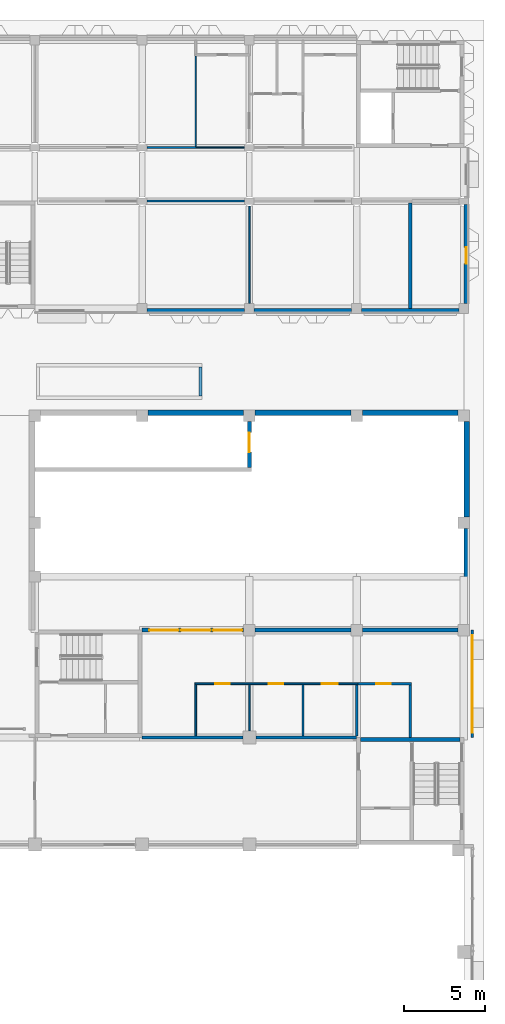
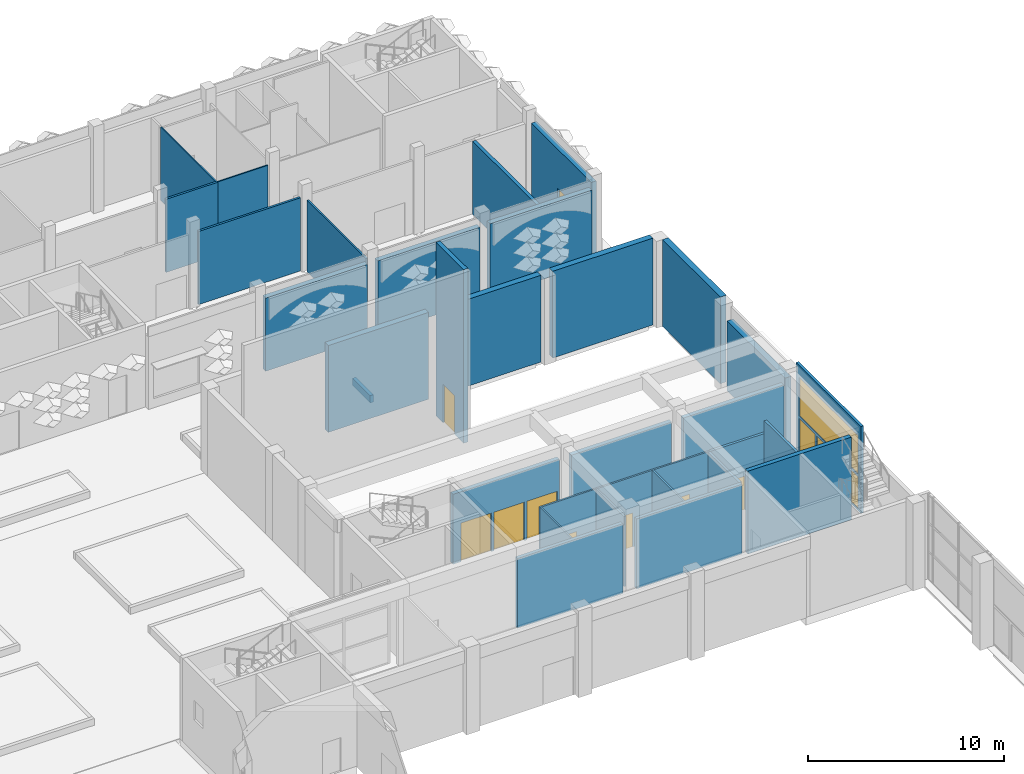
# One storey, part 40 of 85: 31 walls, 10 doors, 3 windows, 13 openings.
"""IFC4 building model written with IfcOpenShell, lengths in metres."""

from ifc_helpers import new_model, si_unit, direction, frame, frame_2d, origin, place, context, subcontext, project, spatial, rectangle, extrude, material, layer, layer_set, type_object, element, fill, save


model = new_model("IFC4")

# Units and contexts
model_context = context("Model", 3, precision=1e-05, world=origin(), true_north=direction((0.0, 1.0)))
body_context = subcontext(model_context, "Body", "Model", "MODEL_VIEW")
ifc_project = project(units=[si_unit("LENGTHUNIT", "METRE"), si_unit("AREAUNIT", "SQUARE_METRE"), si_unit("VOLUMEUNIT", "CUBIC_METRE"), si_unit("PLANEANGLEUNIT", "RADIAN"), si_unit("MASSUNIT", "GRAM", prefix="KILO")], contexts=[model_context])

# Site, building, storey
site_placement = place(None, origin())
site = spatial("IfcSite", under=ifc_project, at=site_placement, CompositionType="ELEMENT")
building_placement = place(site_placement, origin())
building = spatial("IfcBuilding", under=site, at=building_placement, Name="Lantern Court Research Institute", CompositionType="ELEMENT")
storey_placement = place(building_placement, origin())
storey = spatial("IfcBuildingStorey", under=building, at=storey_placement, Name="L00", CompositionType="ELEMENT", Elevation=0.0)

# Wall, openings, doors
ifc_material_1 = material(Name="Acoustic double-leaf gypsum board")
ifc_layer_1 = layer(ifc_material_1, 0.25)
ifc_layer_set_1 = layer_set([ifc_layer_1], Name="Acoustic double-leaf gypsum board")
wall_type_1 = type_object("IfcWallType", Name="Acoustic wall 250 mm EI 60", PredefinedType="PARTITIONING", material=ifc_layer_set_1)
wall_1_placement = place(storey_placement, frame((65.64990234375, 62.699951171875, 0.0), z_axis=(0.0, 0.0, 1.0), x_axis=(-1.0, 0.0, 0.0)))
wall_1 = element("IfcWall", 1, at=wall_1_placement, inside=storey, type_object=wall_type_1, Name="Wall V1-L00-005", PredefinedType="PARTITIONING", context=body_context, shape_type="SweptSolid", body=[
    extrude(rectangle(XDim=6.25, YDim=0.25, at=frame_2d((3.125, 0.0))), origin(), (0.0, 0.0, 1.0), 4.35009765625),
])
opening_1_placement = place(wall_1_placement, frame((4.0, 0.0, 0.0)))
opening_1 = element("IfcOpeningElement", 2, at=opening_1_placement, cuts=wall_1, Name="Opening D1005", PredefinedType="OPENING", context=body_context, shape_type="SweptSolid", body=[
    extrude(rectangle(XDim=1.800048828125, YDim=2.39990234375, at=frame_2d((0.89990234375, 1.199951171875))), frame((0.0, 0.135009765625, 0.0), z_axis=(0.0, -1.0, 0.0), x_axis=(1.0, 0.0, 0.0)), (0.0, 0.0, 1.0), 0.27001953125),
])
opening_2_placement = place(wall_1_placement, frame((2.050048828125, 0.0, 0.0)))
opening_2 = element("IfcOpeningElement", 3, at=opening_2_placement, cuts=wall_1, Name="Opening D1006", PredefinedType="OPENING", context=body_context, shape_type="SweptSolid", body=[
    extrude(rectangle(XDim=1.800048828125, YDim=2.39990234375, at=frame_2d((0.89990234375, 1.199951171875))), frame((0.0, 0.135009765625, 0.0), z_axis=(0.0, -1.0, 0.0), x_axis=(1.0, 0.0, 0.0)), (0.0, 0.0, 1.0), 0.27001953125),
])
opening_3_placement = place(wall_1_placement, frame((0.10009765625, 0.0, 0.0)))
opening_3 = element("IfcOpeningElement", 4, at=opening_3_placement, cuts=wall_1, Name="Opening D1007", PredefinedType="OPENING", context=body_context, shape_type="SweptSolid", body=[
    extrude(rectangle(XDim=1.800048828125, YDim=2.39990234375, at=frame_2d((0.89990234375, 1.199951171875))), frame((0.0, 0.135009765625, 0.0), z_axis=(0.0, -1.0, 0.0), x_axis=(1.0, 0.0, 0.0)), (0.0, 0.0, 1.0), 0.27001953125),
])
ifc_material_2 = material(Name="Timber veneered acoustic door leaf", Category="wood")
door_type_1 = type_object("IfcDoorType", Name="Door 1800 x 2400 auditorium pair FD30S", OperationType="DOUBLE_DOOR_SINGLE_SWING", PredefinedType="DOOR", material=ifc_material_2)
door_1_placement = place(opening_1_placement, origin())
door_1 = element("IfcDoor", 5, at=door_1_placement, inside=storey, type_object=door_type_1, Name="Door D1005", OperationType="DOUBLE_DOOR_SINGLE_SWING", OverallHeight=2.39990234375, OverallWidth=1.800048828125, PredefinedType="DOOR", context=body_context, shape_type="SweptSolid", body=[
    extrude(rectangle(XDim=1.800048828125, YDim=2.39990234375, at=frame_2d((0.89990234375, 1.199951171875))), frame((0.0, 0.02490234375, 0.0), z_axis=(0.0, -1.0, 0.0), x_axis=(1.0, 0.0, 0.0)), (0.0, 0.0, 1.0), 0.050048828125),
])
fill(opening_1, door_1)
door_2_placement = place(opening_2_placement, origin())
door_2 = element("IfcDoor", 6, at=door_2_placement, inside=storey, type_object=door_type_1, Name="Door D1006", OperationType="DOUBLE_DOOR_SINGLE_SWING", OverallHeight=2.39990234375, OverallWidth=1.800048828125, PredefinedType="DOOR", context=body_context, shape_type="SweptSolid", body=[
    extrude(rectangle(XDim=1.800048828125, YDim=2.39990234375, at=frame_2d((0.89990234375, 1.199951171875))), frame((0.0, 0.02490234375, 0.0), z_axis=(0.0, -1.0, 0.0), x_axis=(1.0, 0.0, 0.0)), (0.0, 0.0, 1.0), 0.050048828125),
])
fill(opening_2, door_2)
door_3_placement = place(opening_3_placement, origin())
door_3 = element("IfcDoor", 7, at=door_3_placement, inside=storey, type_object=door_type_1, Name="Door D1007", OperationType="DOUBLE_DOOR_SINGLE_SWING", OverallHeight=2.39990234375, OverallWidth=1.800048828125, PredefinedType="DOOR", context=body_context, shape_type="SweptSolid", body=[
    extrude(rectangle(XDim=1.800048828125, YDim=2.39990234375, at=frame_2d((0.89990234375, 1.199951171875))), frame((0.0, 0.02490234375, 0.0), z_axis=(0.0, -1.0, 0.0), x_axis=(1.0, 0.0, 0.0)), (0.0, 0.0, 1.0), 0.050048828125),
])
fill(opening_3, door_3)

# Walls
wall_2_placement = place(storey_placement, frame((66.35009765625, 62.699951171875, 0.0), z_axis=(0.0, 0.0, 1.0), x_axis=(1.0, 0.0, 0.0)))
element("IfcWall", 8, at=wall_2_placement, inside=storey, type_object=wall_type_1, Name="Wall V1-L00-006", PredefinedType="PARTITIONING", context=body_context, shape_type="SweptSolid", body=[
    extrude(rectangle(XDim=5.89990234375, YDim=0.25, at=frame_2d((2.949951171875, 0.0))), origin(), (0.0, 0.0, 1.0), 4.35009765625),
])
wall_3_placement = place(storey_placement, frame((72.949951171875, 62.699951171875, 0.0), z_axis=(0.0, 0.0, 1.0), x_axis=(1.0, 0.0, 0.0)))
element("IfcWall", 9, at=wall_3_placement, inside=storey, type_object=wall_type_1, Name="Wall V1-L00-007", PredefinedType="PARTITIONING", context=body_context, shape_type="SweptSolid", body=[
    extrude(rectangle(XDim=5.900146484375, YDim=0.25, at=frame_2d((2.9501953125, 0.0))), origin(), (0.0, 0.0, 1.0), 4.35009765625),
])

# Wall, opening, door
wall_4_placement = place(storey_placement, frame((66.0, 75.550048828125, -0.89990234375), z_axis=(0.0, 0.0, 1.0), x_axis=(0.0, -1.0, 0.0)))
wall_4 = element("IfcWall", 10, at=wall_4_placement, inside=storey, type_object=wall_type_1, Name="Wall V1-L00-011", PredefinedType="PARTITIONING", context=body_context, shape_type="SweptSolid", body=[
    extrude(rectangle(XDim=2.824951171875, YDim=0.25, at=frame_2d((1.41259765625, 0.0))), origin(), (0.0, 0.0, 1.0), 10.7998046875),
])
opening_4_placement = place(wall_4_placement, frame((0.699951171875, 0.0, 0.0)))
opening_4 = element("IfcOpeningElement", 11, at=opening_4_placement, cuts=wall_4, Name="Opening D1008", PredefinedType="OPENING", context=body_context, shape_type="SweptSolid", body=[
    extrude(rectangle(XDim=1.199951171875, YDim=2.39990234375, at=frame_2d((0.60009765625, 1.199951171875))), frame((0.0, 0.135009765625, 0.0), z_axis=(0.0, -1.0, 0.0), x_axis=(1.0, 0.0, 0.0)), (0.0, 0.0, 1.0), 0.27001953125),
])
ifc_material_3 = material(Name="Timber veneered acoustic door leaf", Category="wood")
door_type_2 = type_object("IfcDoorType", Name="Door 1200 x 2400 stage FD30S", OperationType="NOTDEFINED", PredefinedType="DOOR", material=ifc_material_3)
door_4_placement = place(opening_4_placement, origin())
door_4 = element("IfcDoor", 12, at=door_4_placement, inside=storey, type_object=door_type_2, Name="Door D1008", OperationType="SINGLE_SWING_RIGHT", OverallHeight=2.39990234375, OverallWidth=1.199951171875, PredefinedType="DOOR", context=body_context, shape_type="SweptSolid", body=[
    extrude(rectangle(XDim=1.199951171875, YDim=2.39990234375, at=frame_2d((0.60009765625, 1.199951171875))), frame((0.0, 0.02490234375, 0.0), z_axis=(0.0, -1.0, 0.0), x_axis=(1.0, 0.0, 0.0)), (0.0, 0.0, 1.0), 0.050048828125),
])
fill(opening_4, door_4)

ifc_material_4 = material(Name="Concrete C30/37", Category="concrete")
ifc_layer_2 = layer(ifc_material_4, 0.300048828125)
ifc_layer_set_2 = layer_set([ifc_layer_2], Name="Concrete C30/37")
wall_type_2 = type_object("IfcWallType", Name="Compartment wall 300 concrete EI 120", PredefinedType="STANDARD", material=ifc_layer_set_2)
wall_5_placement = place(storey_placement, frame((79.35009765625, 88.89990234375, 0.0), z_axis=(0.0, 0.0, 1.0), x_axis=(0.0, -1.0, 0.0)))
wall_5 = element("IfcWall", 13, at=wall_5_placement, inside=storey, type_object=wall_type_2, Name="Exterior wall EW049", PredefinedType="STANDARD", context=body_context, shape_type="SweptSolid", body=[
    extrude(rectangle(XDim=6.099853515625, YDim=0.300048828125, at=frame_2d((3.0498046875, 0.0))), origin(), (0.0, 0.0, 1.0), 4.550048828125),
])
opening_5_placement = place(wall_5_placement, frame((2.64990234375, 0.0, 0.0)))
opening_5 = element("IfcOpeningElement", 14, at=opening_5_placement, cuts=wall_5, Name="Opening D6025", PredefinedType="OPENING", context=body_context, shape_type="SweptSolid", body=[
    extrude(rectangle(XDim=1.0, YDim=2.10009765625, at=frame_2d((0.5, 1.050048828125))), frame((0.0, 0.159912109375, 0.0), z_axis=(0.0, -1.0, 0.0), x_axis=(1.0, 0.0, 0.0)), (0.0, 0.0, 1.0), 0.320068359375),
])
ifc_material_5 = material(Name="Fire-rated coated metal door leaf with smoke seals")
door_type_3 = type_object("IfcDoorType", Name="Door 1000 x 2100 fire command FD60S", OperationType="NOTDEFINED", PredefinedType="DOOR", material=ifc_material_5)
door_5_placement = place(opening_5_placement, origin())
door_5 = element("IfcDoor", 15, at=door_5_placement, inside=storey, type_object=door_type_3, Name="Door D6025", OperationType="SINGLE_SWING_LEFT", OverallHeight=2.10009765625, OverallWidth=1.0, PredefinedType="DOOR", context=body_context, shape_type="SweptSolid", body=[
    extrude(rectangle(XDim=1.0, YDim=2.10009765625, at=frame_2d((0.5, 1.050048828125))), frame((0.0, 0.02490234375, 0.0), z_axis=(0.0, -1.0, 0.0), x_axis=(1.0, 0.0, 0.0)), (0.0, 0.0, 1.0), 0.050048828125),
])
fill(opening_5, door_5)

# Wall
wall_6_placement = place(storey_placement, frame((78.89990234375, 82.35009765625, 0.0), z_axis=(0.0, 0.0, 1.0), x_axis=(-1.0, 0.0, 0.0)))
element("IfcWall", 16, at=wall_6_placement, inside=storey, type_object=wall_type_2, Name="Exterior wall EW070", PredefinedType="STANDARD", context=body_context, shape_type="SweptSolid", body=[
    extrude(rectangle(XDim=6.0, YDim=0.300048828125, at=frame_2d((3.0, 0.0))), origin(), (0.0, 0.0, 1.0), 4.550048828125),
])

# Wall, openings, windows, door
ifc_material_6 = material(Name="Aluminium alloy 6063-T6", Category="aluminium")
ifc_layer_3 = layer(ifc_material_6, 0.14990234375)
ifc_layer_set_3 = layer_set([ifc_layer_3], Name="Aluminium alloy 6063-T6")
wall_type_3 = type_object("IfcWallType", Name="Entrance screen wall 150 aluminium", PredefinedType="STANDARD", material=ifc_layer_set_3)
wall_7_placement = place(storey_placement, frame((79.72509765625, 62.699951171875, 0.0), z_axis=(0.0, 0.0, 1.0), x_axis=(0.0, -1.0, 0.0)))
wall_7 = element("IfcWall", 17, at=wall_7_placement, inside=storey, type_object=wall_type_3, Name="Exterior wall EW001", PredefinedType="STANDARD", context=body_context, shape_type="SweptSolid", body=[
    extrude(rectangle(XDim=6.599853515625, YDim=0.14990234375, at=frame_2d((3.2998046875, 0.0))), origin(), (0.0, 0.0, 1.0), 5.39990234375),
])
opening_6_placement = place(wall_7_placement, frame((2.10009765625, 0.0, 0.0)))
opening_6 = element("IfcOpeningElement", 18, at=opening_6_placement, cuts=wall_7, Name="Opening D1081", PredefinedType="OPENING", context=body_context, shape_type="SweptSolid", body=[
    extrude(rectangle(XDim=2.39990234375, YDim=2.10009765625, at=frame_2d((1.199951171875, 1.050048828125))), frame((0.0, 0.0849609375, 0.0), z_axis=(0.0, -1.0, 0.0), x_axis=(1.0, 0.0, 0.0)), (0.0, 0.0, 1.0), 0.169921875),
])
opening_7_placement = place(wall_7_placement, frame((4.699951171875, 0.0, 0.10009765625)))
opening_7 = element("IfcOpeningElement", 19, at=opening_7_placement, cuts=wall_7, Name="Opening W01", PredefinedType="OPENING", context=body_context, shape_type="SweptSolid", body=[
    extrude(rectangle(XDim=1.60009765625, YDim=2.0, at=frame_2d((0.800048828125, 1.0))), frame((0.0, 0.0849609375, 0.0), z_axis=(0.0, -1.0, 0.0), x_axis=(1.0, 0.0, 0.0)), (0.0, 0.0, 1.0), 0.169921875),
])
opening_8_placement = place(wall_7_placement, frame((0.300048828125, 0.0, 0.10009765625)))
opening_8 = element("IfcOpeningElement", 20, at=opening_8_placement, cuts=wall_7, Name="Opening W01", PredefinedType="OPENING", context=body_context, shape_type="SweptSolid", body=[
    extrude(rectangle(XDim=1.60009765625, YDim=2.0, at=frame_2d((0.800048828125, 1.0))), frame((0.0, 0.0849609375, 0.0), z_axis=(0.0, -1.0, 0.0), x_axis=(1.0, 0.0, 0.0)), (0.0, 0.0, 1.0), 0.169921875),
])
opening_9_placement = place(wall_7_placement, frame((0.300048828125, 0.0, 2.25)))
opening_9 = element("IfcOpeningElement", 21, at=opening_9_placement, cuts=wall_7, Name="Opening W02", PredefinedType="OPENING", context=body_context, shape_type="SweptSolid", body=[
    extrude(rectangle(XDim=6.0, YDim=2.39990234375, at=frame_2d((3.0, 1.199951171875))), frame((0.0, 0.0849609375, 0.0), z_axis=(0.0, -1.0, 0.0), x_axis=(1.0, 0.0, 0.0)), (0.0, 0.0, 1.0), 0.169921875),
])
ifc_material_7 = material(Name="Aluminium frame with laminated low-emissivity glazing", Category="aluminium")
window_type_1 = type_object("IfcWindowType", Name="Entrance clerestory 6000 x 2400", PartitioningType="SINGLE_PANEL", PredefinedType="WINDOW", material=ifc_material_7)
window_1_placement = place(opening_9_placement, origin())
window_1 = element("IfcWindow", 22, at=window_1_placement, inside=storey, type_object=window_type_1, Name="Window W02 V1E L00", OverallHeight=2.39990234375, OverallWidth=6.0, PartitioningType="SINGLE_PANEL", PredefinedType="WINDOW", context=body_context, shape_type="SweptSolid", body=[
    extrude(rectangle(XDim=6.0, YDim=2.39990234375, at=frame_2d((3.0, 1.199951171875))), frame((0.0, 0.030029296875, 0.0), z_axis=(0.0, -1.0, 0.0), x_axis=(1.0, 0.0, 0.0)), (0.0, 0.0, 1.0), 0.06005859375),
])
fill(opening_9, window_1)
ifc_material_8 = material(Name="Aluminium frame with laminated glass", Category="aluminium")
door_type_4 = type_object("IfcDoorType", Name="Entrance door pair 2400 x 2100 aluminium glazed", OperationType="NOTDEFINED", PredefinedType="DOOR", material=ifc_material_8)
door_6_placement = place(opening_6_placement, origin())
door_6 = element("IfcDoor", 23, at=door_6_placement, inside=storey, type_object=door_type_4, Name="Exterior door D1081", OperationType="DOUBLE_DOOR_SINGLE_SWING", OverallHeight=2.10009765625, OverallWidth=2.39990234375, PredefinedType="DOOR", context=body_context, shape_type="SweptSolid", body=[
    extrude(rectangle(XDim=2.39990234375, YDim=2.10009765625, at=frame_2d((1.199951171875, 1.050048828125))), frame((0.0, 0.02490234375, 0.0), z_axis=(0.0, -1.0, 0.0), x_axis=(1.0, 0.0, 0.0)), (0.0, 0.0, 1.0), 0.050048828125),
])
fill(opening_6, door_6)
ifc_material_9 = material(Name="Aluminium frame with laminated low-emissivity glazing", Category="aluminium")
window_type_2 = type_object("IfcWindowType", Name="Entrance sidelight 1600 x 2000", PartitioningType="SINGLE_PANEL", PredefinedType="WINDOW", material=ifc_material_9)
window_2_placement = place(opening_7_placement, origin())
window_2 = element("IfcWindow", 24, at=window_2_placement, inside=storey, type_object=window_type_2, Name="Window W01 V1E L00", OverallHeight=2.0, OverallWidth=1.60009765625, PartitioningType="SINGLE_PANEL", PredefinedType="WINDOW", context=body_context, shape_type="SweptSolid", body=[
    extrude(rectangle(XDim=1.60009765625, YDim=2.0, at=frame_2d((0.800048828125, 1.0))), frame((0.0, 0.030029296875, 0.0), z_axis=(0.0, -1.0, 0.0), x_axis=(1.0, 0.0, 0.0)), (0.0, 0.0, 1.0), 0.06005859375),
])
fill(opening_7, window_2)
window_3_placement = place(opening_8_placement, origin())
window_3 = element("IfcWindow", 25, at=window_3_placement, inside=storey, type_object=window_type_2, Name="Window W01 V1E L00", OverallHeight=2.0, OverallWidth=1.60009765625, PartitioningType="SINGLE_PANEL", PredefinedType="WINDOW", context=body_context, shape_type="SweptSolid", body=[
    extrude(rectangle(XDim=1.60009765625, YDim=2.0, at=frame_2d((0.800048828125, 1.0))), frame((0.0, 0.030029296875, 0.0), z_axis=(0.0, -1.0, 0.0), x_axis=(1.0, 0.0, 0.0)), (0.0, 0.0, 1.0), 0.06005859375),
])
fill(opening_8, window_3)

# Wall, opening, door
ifc_material_10 = material(Name="Gypsum board on metal studs")
ifc_layer_4 = layer(ifc_material_10, 0.14990234375)
ifc_layer_set_4 = layer_set([ifc_layer_4], Name="Gypsum board on metal studs")
wall_type_4 = type_object("IfcWallType", Name="Fire partition 150 mm EI 60", PredefinedType="PARTITIONING", material=ifc_layer_set_4)
wall_8_placement = place(storey_placement, frame((75.97509765625, 59.39990234375, 0.0), z_axis=(0.0, 0.0, 1.0), x_axis=(-1.0, 0.0, 0.0)))
wall_8 = element("IfcWall", 26, at=wall_8_placement, inside=storey, type_object=wall_type_4, Name="Wall V1-L00-004", PredefinedType="PARTITIONING", context=body_context, shape_type="SweptSolid", body=[
    extrude(rectangle(XDim=3.300048828125, YDim=0.14990234375, at=frame_2d((1.64990234375, 0.0))), origin(), (0.0, 0.0, 1.0), 4.35009765625),
])
opening_10_placement = place(wall_8_placement, frame((1.27490234375, 0.0, 0.0)))
opening_10 = element("IfcOpeningElement", 27, at=opening_10_placement, cuts=wall_8, Name="Opening D1004", PredefinedType="OPENING", context=body_context, shape_type="SweptSolid", body=[
    extrude(rectangle(XDim=0.89990234375, YDim=2.10009765625, at=frame_2d((0.449951171875, 1.050048828125))), frame((0.0, 0.0849609375, 0.0), z_axis=(0.0, -1.0, 0.0), x_axis=(1.0, 0.0, 0.0)), (0.0, 0.0, 1.0), 0.169921875),
])
ifc_material_11 = material(Name="Coated metal door leaf")
door_type_5 = type_object("IfcDoorType", Name="Door 900 x 2100 store FD60", OperationType="NOTDEFINED", PredefinedType="DOOR", material=ifc_material_11)
door_7_placement = place(opening_10_placement, origin())
door_7 = element("IfcDoor", 28, at=door_7_placement, inside=storey, type_object=door_type_5, Name="Door D1004", OperationType="SINGLE_SWING_RIGHT", OverallHeight=2.10009765625, OverallWidth=0.89990234375, PredefinedType="DOOR", context=body_context, shape_type="SweptSolid", body=[
    extrude(rectangle(XDim=0.89990234375, YDim=2.10009765625, at=frame_2d((0.449951171875, 1.050048828125))), frame((0.0, 0.02490234375, 0.0), z_axis=(0.0, -1.0, 0.0), x_axis=(1.0, 0.0, 0.0)), (0.0, 0.0, 1.0), 0.050048828125),
])
fill(opening_10, door_7)

# Walls
wall_9_placement = place(storey_placement, frame((72.60009765625, 56.199951171875, 0.0), z_axis=(0.0, 0.0, 1.0), x_axis=(0.0, 1.0, 0.0)))
element("IfcWall", 29, at=wall_9_placement, inside=storey, type_object=wall_type_4, Name="Wall V1-L00-013", PredefinedType="PARTITIONING", context=body_context, shape_type="SweptSolid", body=[
    extrude(rectangle(XDim=3.125, YDim=0.14990234375, at=frame_2d((1.5625, 0.0))), origin(), (0.0, 0.0, 1.0), 4.35009765625),
])
wall_10_placement = place(storey_placement, frame((75.89990234375, 56.10009765625, 0.0), z_axis=(0.0, 0.0, 1.0), x_axis=(0.0, 1.0, 0.0)))
element("IfcWall", 30, at=wall_10_placement, inside=storey, type_object=wall_type_4, Name="Wall V1-L00-014", PredefinedType="PARTITIONING", context=body_context, shape_type="SweptSolid", body=[
    extrude(rectangle(XDim=3.224853515625, YDim=0.14990234375, at=frame_2d((1.6123046875, 0.0))), origin(), (0.0, 0.0, 1.0), 5.14990234375),
])
ifc_material_12 = material(Name="Concrete C30/37", Category="concrete")
ifc_layer_5 = layer(ifc_material_12, 0.300048828125)
ifc_layer_set_5 = layer_set([ifc_layer_5], Name="Concrete C30/37")
wall_type_5 = type_object("IfcWallType", Name="Insulated concrete infill wall 300", PredefinedType="STANDARD", material=ifc_layer_set_5)
for number, where, z_axis, x_axis, name in (
    (31, (65.699951171875, 82.35009765625, 0.0), (0.0, 0.0, 1.0), (-1.0, 0.0, 0.0), "Exterior wall EW068"),
    (32, (72.300048828125, 82.35009765625, 0.0), (0.0, 0.0, 1.0), (-1.0, 0.0, 0.0), "Exterior wall EW069"),
):
    element("IfcWall", number, at=place(storey_placement, frame(where, z_axis=z_axis, x_axis=x_axis)), inside=storey, type_object=wall_type_5, Name=name, PredefinedType="STANDARD", context=body_context, shape_type="SweptSolid", body=[
        extrude(rectangle(XDim=6.0, YDim=0.300048828125, at=frame_2d((3.0, 0.0))), origin(), (0.0, 0.0, 1.0), 4.550048828125),
    ])
ifc_material_13 = material(Name="Gypsum board on metal studs")
ifc_layer_6 = layer(ifc_material_13, 0.10009765625)
ifc_layer_set_6 = layer_set([ifc_layer_6], Name="Gypsum board on metal studs")
wall_type_6 = type_object("IfcWallType", Name="Partition 100 mm", PredefinedType="PARTITIONING", material=ifc_layer_set_6)
wall_11_placement = place(storey_placement, frame((66.0, 82.800048828125, 0.0), z_axis=(0.0, 0.0, 1.0), x_axis=(0.0, 1.0, 0.0)))
element("IfcWall", 33, at=wall_11_placement, inside=storey, type_object=wall_type_6, Name="Wall V6-L00-049", PredefinedType="PARTITIONING", context=body_context, shape_type="SweptSolid", body=[
    extrude(rectangle(XDim=6.0, YDim=0.10009765625, at=frame_2d((3.0, 0.0))), origin(), (0.0, 0.0, 1.0), 4.449951171875),
])

# Wall, openings, doors
wall_12_placement = place(storey_placement, frame((72.675048828125, 59.39990234375, 0.0), z_axis=(0.0, 0.0, 1.0), x_axis=(-1.0, 0.0, 0.0)))
wall_12 = element("IfcWall", 34, at=wall_12_placement, inside=storey, type_object=wall_type_6, Name="Wall V1-L00-003", PredefinedType="PARTITIONING", context=body_context, shape_type="SweptSolid", body=[
    extrude(rectangle(XDim=10.025146484375, YDim=0.10009765625, at=frame_2d((5.0126953125, 0.0))), origin(), (0.0, 0.0, 1.0), 4.35009765625),
])
opening_11_placement = place(wall_12_placement, frame((7.875, 0.0, 0.0)))
opening_11 = element("IfcOpeningElement", 35, at=opening_11_placement, cuts=wall_12, Name="Opening D1001", PredefinedType="OPENING", context=body_context, shape_type="SweptSolid", body=[
    extrude(rectangle(XDim=0.89990234375, YDim=2.10009765625, at=frame_2d((0.449951171875, 1.050048828125))), frame((0.0, 0.06005859375, 0.0), z_axis=(0.0, -1.0, 0.0), x_axis=(1.0, 0.0, 0.0)), (0.0, 0.0, 1.0), 0.1201171875),
])
opening_12_placement = place(wall_12_placement, frame((4.574951171875, 0.0, 0.0)))
opening_12 = element("IfcOpeningElement", 36, at=opening_12_placement, cuts=wall_12, Name="Opening D1002", PredefinedType="OPENING", context=body_context, shape_type="SweptSolid", body=[
    extrude(rectangle(XDim=0.89990234375, YDim=2.10009765625, at=frame_2d((0.449951171875, 1.050048828125))), frame((0.0, 0.06005859375, 0.0), z_axis=(0.0, -1.0, 0.0), x_axis=(1.0, 0.0, 0.0)), (0.0, 0.0, 1.0), 0.1201171875),
])
opening_13_placement = place(wall_12_placement, frame((1.22509765625, 0.0, 0.0)))
opening_13 = element("IfcOpeningElement", 37, at=opening_13_placement, cuts=wall_12, Name="Opening D1003", PredefinedType="OPENING", context=body_context, shape_type="SweptSolid", body=[
    extrude(rectangle(XDim=1.0, YDim=2.10009765625, at=frame_2d((0.5, 1.050048828125))), frame((0.0, 0.06005859375, 0.0), z_axis=(0.0, -1.0, 0.0), x_axis=(1.0, 0.0, 0.0)), (0.0, 0.0, 1.0), 0.1201171875),
])
ifc_material_14 = material(Name="Timber veneered door leaf", Category="wood")
door_type_6 = type_object("IfcDoorType", Name="Door 1000 x 2100 accessible WC", OperationType="NOTDEFINED", PredefinedType="DOOR", material=ifc_material_14)
door_8_placement = place(opening_13_placement, origin())
door_8 = element("IfcDoor", 38, at=door_8_placement, inside=storey, type_object=door_type_6, Name="Door D1003", OperationType="SINGLE_SWING_LEFT", OverallHeight=2.10009765625, OverallWidth=1.0, PredefinedType="DOOR", context=body_context, shape_type="SweptSolid", body=[
    extrude(rectangle(XDim=1.0, YDim=2.10009765625, at=frame_2d((0.5, 1.050048828125))), frame((0.0, 0.02490234375, 0.0), z_axis=(0.0, -1.0, 0.0), x_axis=(1.0, 0.0, 0.0)), (0.0, 0.0, 1.0), 0.050048828125),
])
fill(opening_13, door_8)
ifc_material_15 = material(Name="Timber veneered door leaf", Category="wood")
door_type_7 = type_object("IfcDoorType", Name="Door 900 x 2100 WC", OperationType="NOTDEFINED", PredefinedType="DOOR", material=ifc_material_15)
door_9_placement = place(opening_11_placement, origin())
door_9 = element("IfcDoor", 39, at=door_9_placement, inside=storey, type_object=door_type_7, Name="Door D1001", OperationType="SINGLE_SWING_RIGHT", OverallHeight=2.10009765625, OverallWidth=0.89990234375, PredefinedType="DOOR", context=body_context, shape_type="SweptSolid", body=[
    extrude(rectangle(XDim=0.89990234375, YDim=2.10009765625, at=frame_2d((0.449951171875, 1.050048828125))), frame((0.0, 0.02490234375, 0.0), z_axis=(0.0, -1.0, 0.0), x_axis=(1.0, 0.0, 0.0)), (0.0, 0.0, 1.0), 0.050048828125),
])
fill(opening_11, door_9)
door_10_placement = place(opening_12_placement, origin())
door_10 = element("IfcDoor", 40, at=door_10_placement, inside=storey, type_object=door_type_7, Name="Door D1002", OperationType="SINGLE_SWING_LEFT", OverallHeight=2.10009765625, OverallWidth=0.89990234375, PredefinedType="DOOR", context=body_context, shape_type="SweptSolid", body=[
    extrude(rectangle(XDim=0.89990234375, YDim=2.10009765625, at=frame_2d((0.449951171875, 1.050048828125))), frame((0.0, 0.02490234375, 0.0), z_axis=(0.0, -1.0, 0.0), x_axis=(1.0, 0.0, 0.0)), (0.0, 0.0, 1.0), 0.050048828125),
])
fill(opening_12, door_10)

# Walls
wall_13_placement = place(storey_placement, frame((62.699951171875, 56.199951171875, 0.0), z_axis=(0.0, 0.0, 1.0), x_axis=(0.0, 1.0, 0.0)))
element("IfcWall", 41, at=wall_13_placement, inside=storey, type_object=wall_type_6, Name="Wall V1-L00-009", PredefinedType="PARTITIONING", context=body_context, shape_type="SweptSolid", body=[
    extrude(rectangle(XDim=3.150146484375, YDim=0.10009765625, at=frame_2d((1.5751953125, 0.0))), origin(), (0.0, 0.0, 1.0), 4.35009765625),
])
wall_14_placement = place(storey_placement, frame((66.0, 56.5, 0.0), z_axis=(0.0, 0.0, 1.0), x_axis=(0.0, 1.0, 0.0)))
element("IfcWall", 42, at=wall_14_placement, inside=storey, type_object=wall_type_6, Name="Wall V1-L00-010", PredefinedType="PARTITIONING", context=body_context, shape_type="SweptSolid", body=[
    extrude(rectangle(XDim=2.85009765625, YDim=0.10009765625, at=frame_2d((1.425048828125, 0.0))), origin(), (0.0, 0.0, 1.0), 4.35009765625),
])
wall_15_placement = place(storey_placement, frame((69.300048828125, 56.199951171875, 0.0), z_axis=(0.0, 0.0, 1.0), x_axis=(0.0, 1.0, 0.0)))
element("IfcWall", 43, at=wall_15_placement, inside=storey, type_object=wall_type_6, Name="Wall V1-L00-012", PredefinedType="PARTITIONING", context=body_context, shape_type="SweptSolid", body=[
    extrude(rectangle(XDim=3.150146484375, YDim=0.10009765625, at=frame_2d((1.5751953125, 0.0))), origin(), (0.0, 0.0, 1.0), 4.35009765625),
])
ifc_material_16 = material(Name="Fire-rated blockwork", Category="masonry")
ifc_layer_7 = layer(ifc_material_16, 0.199951171875)
ifc_layer_set_7 = layer_set([ifc_layer_7], Name="Fire-rated blockwork")
wall_type_7 = type_object("IfcWallType", Name="Party wall 200 mm EI 120", PredefinedType="PARTITIONING", material=ifc_layer_set_7)
wall_16_placement = place(storey_placement, frame((75.89990234375, 82.5, 0.0), z_axis=(0.0, 0.0, 1.0), x_axis=(0.0, 1.0, 0.0)))
element("IfcWall", 44, at=wall_16_placement, inside=storey, type_object=wall_type_7, Name="Wall V6-L00-055", PredefinedType="PARTITIONING", context=body_context, shape_type="SweptSolid", body=[
    extrude(rectangle(XDim=6.5, YDim=0.199951171875, at=frame_2d((3.25, 0.0))), origin(), (0.0, 0.0, 1.0), 4.550048828125),
])
for number, where, z_axis, x_axis, name in (
    (45, (59.39990234375, 56.10009765625, 0.0), (0.0, 0.0, 1.0), (1.0, 0.0, 0.0), "Wall V1-L00-001"),
    (46, (66.39990234375, 56.10009765625, 0.0), (0.0, 0.0, 1.0), (1.0, 0.0, 0.0), "Wall V1-L00-002"),
):
    element("IfcWall", number, at=place(storey_placement, frame(where, z_axis=z_axis, x_axis=x_axis)), inside=storey, type_object=wall_type_7, Name=name, PredefinedType="PARTITIONING", context=body_context, shape_type="SweptSolid", body=[
        extrude(rectangle(XDim=6.2001953125, YDim=0.199951171875, at=frame_2d((3.10009765625, 0.0))), origin(), (0.0, 0.0, 1.0), 4.35009765625),
    ])
ifc_material_17 = material(Name="Rendered blockwork", Category="masonry")
ifc_layer_8 = layer(ifc_material_17, 0.199951171875)
ifc_layer_set_8 = layer_set([ifc_layer_8], Name="Rendered blockwork")
wall_type_8 = type_object("IfcWallType", Name="Planter wall 200 mm", PredefinedType="PARTITIONING", material=ifc_layer_set_8)
wall_17_placement = place(storey_placement, frame((63.0, 77.10009765625, 0.0), z_axis=(0.0, 0.0, 1.0), x_axis=(0.0, 1.0, 0.0)))
element("IfcWall", 47, at=wall_17_placement, inside=storey, type_object=wall_type_8, Name="Planter wall north passage 3.4", PredefinedType="PARTITIONING", context=body_context, shape_type="SweptSolid", body=[
    extrude(rectangle(XDim=1.7998046875, YDim=0.199951171875, at=frame_2d((0.89990234375, 0.0))), origin(), (0.0, 0.0, 1.0), 0.449951171875),
])
ifc_material_18 = material(Name="Gypsum board on metal studs")
ifc_layer_9 = layer(ifc_material_18, 0.125)
ifc_layer_set_9 = layer_set([ifc_layer_9], Name="Gypsum board on metal studs")
wall_type_9 = type_object("IfcWallType", Name="Protected corridor partition 125 mm EI 30", PredefinedType="PARTITIONING", material=ifc_layer_set_9)
wall_18_placement = place(storey_placement, frame((59.699951171875, 89.10009765625, 0.0), z_axis=(0.0, 0.0, 1.0), x_axis=(1.0, 0.0, 0.0)))
element("IfcWall", 48, at=wall_18_placement, inside=storey, type_object=wall_type_9, Name="Wall V6-L00-008", PredefinedType="PARTITIONING", context=body_context, shape_type="SweptSolid", body=[
    extrude(rectangle(XDim=6.0, YDim=0.125, at=frame_2d((3.0, 0.0))), origin(), (0.0, 0.0, 1.0), 4.550048828125),
])
wall_19_placement = place(storey_placement, frame((59.699951171875, 92.39990234375, 0.0), z_axis=(0.0, 0.0, 1.0), x_axis=(1.0, 0.0, 0.0)))
element("IfcWall", 49, at=wall_19_placement, inside=storey, type_object=wall_type_9, Name="Wall V6-L00-023", PredefinedType="PARTITIONING", context=body_context, shape_type="SweptSolid", body=[
    extrude(rectangle(XDim=3.0380859375, YDim=0.125, at=frame_2d((1.51904296875, 0.0))), origin(), (0.0, 0.0, 1.0), 4.550048828125),
])
ifc_material_19 = material(Name="Concrete C40/50", Category="concrete")
ifc_layer_10 = layer(ifc_material_19, 0.25)
ifc_layer_set_10 = layer_set([ifc_layer_10], Name="Concrete C40/50")
wall_type_10 = type_object("IfcWallType", Name="RC core wall 250", PredefinedType="SHEAR", material=ifc_layer_set_10)
wall_20_placement = place(storey_placement, frame((72.85009765625, 55.97509765625, 0.0), z_axis=(0.0, 0.0, 1.0), x_axis=(1.0, 0.0, 0.0)))
element("IfcWall", 50, at=wall_20_placement, inside=storey, type_object=wall_type_10, Name="North wall of core HC-B", PredefinedType="SHEAR", context=body_context, shape_type="SweptSolid", body=[
    extrude(rectangle(XDim=6.099853515625, YDim=0.25, at=frame_2d((3.0498046875, 0.0))), origin(), (0.0, 0.0, 1.0), 5.14990234375),
])
ifc_material_20 = material(Name="Gypsum board on metal studs")
ifc_layer_11 = layer(ifc_material_20, 0.074951171875)
ifc_layer_set_11 = layer_set([ifc_layer_11], Name="Gypsum board on metal studs")
wall_type_11 = type_object("IfcWallType", Name="Service partition 75 mm", PredefinedType="PARTITIONING", material=ifc_layer_set_11)
wall_21_placement = place(storey_placement, frame((62.699951171875, 92.462890625, 0.0), z_axis=(0.0, 0.0, 1.0), x_axis=(0.0, 1.0, 0.0)))
element("IfcWall", 51, at=wall_21_placement, inside=storey, type_object=wall_type_11, Name="Wall V6-L00-047", PredefinedType="PARTITIONING", context=body_context, shape_type="SweptSolid", body=[
    extrude(rectangle(XDim=5.58203125, YDim=0.074951171875, at=frame_2d((2.791015625, 0.0))), origin(), (0.0, 0.0, 1.0), 4.550048828125),
])
ifc_material_21 = material(Name="Gypsum board on metal studs")
ifc_layer_12 = layer(ifc_material_21, 0.074951171875)
ifc_layer_set_12 = layer_set([ifc_layer_12], Name="Gypsum board on metal studs")
wall_type_12 = type_object("IfcWallType", Name="Service partition 75 mm EI 30", PredefinedType="PARTITIONING", material=ifc_layer_set_12)
wall_22_placement = place(storey_placement, frame((62.738037109375, 92.39990234375, 0.0), z_axis=(0.0, 0.0, 1.0), x_axis=(1.0, 0.0, 0.0)))
element("IfcWall", 52, at=wall_22_placement, inside=storey, type_object=wall_type_12, Name="Wall V6-L00-024", PredefinedType="PARTITIONING", context=body_context, shape_type="SweptSolid", body=[
    extrude(rectangle(XDim=2.9619140625, YDim=0.074951171875, at=frame_2d((1.48095703125, 0.0))), origin(), (0.0, 0.0, 1.0), 4.550048828125),
])
ifc_material_22 = material(Name="Glued laminated timber GL28h", Category="wood")
ifc_layer_13 = layer(ifc_material_22, 0.35009765625)
ifc_layer_set_13 = layer_set([ifc_layer_13], Name="Glued laminated timber GL28h")
wall_type_13 = type_object("IfcWallType", Name="Timber-clad drum wall 350", PredefinedType="STANDARD", material=ifc_layer_set_13)
wall_23_placement = place(storey_placement, frame((79.375, 68.949951171875, 0.0), z_axis=(0.0, 0.0, 1.0), x_axis=(0.0, -1.0, 0.0)))
element("IfcWall", 53, at=wall_23_placement, inside=storey, type_object=wall_type_13, Name="Exterior wall EW002", PredefinedType="STANDARD", context=body_context, shape_type="SweptSolid", body=[
    extrude(rectangle(XDim=5.89990234375, YDim=0.35009765625, at=frame_2d((2.949951171875, 0.0))), origin(), (0.0, 0.0, 1.0), 4.35009765625),
])
wall_24_placement = place(storey_placement, frame((79.375, 75.550048828125, 0.0), z_axis=(0.0, 0.0, 1.0), x_axis=(0.0, -1.0, 0.0)))
element("IfcWall", 54, at=wall_24_placement, inside=storey, type_object=wall_type_13, Name="Exterior wall EW003", PredefinedType="STANDARD", context=body_context, shape_type="SweptSolid", body=[
    extrude(rectangle(XDim=5.900146484375, YDim=0.35009765625, at=frame_2d((2.9501953125, 0.0))), origin(), (0.0, 0.0, 1.0), 5.39990234375),
])
for number, where, z_axis, x_axis, name in (
    (55, (59.75, 76.074951171875, 0.0), (0.0, 0.0, 1.0), (1.0, 0.0, 0.0), "Exterior wall EW005"),
    (56, (66.35009765625, 76.074951171875, 0.0), (0.0, 0.0, 1.0), (1.0, 0.0, 0.0), "Exterior wall EW006"),
):
    element("IfcWall", number, at=place(storey_placement, frame(where, z_axis=z_axis, x_axis=x_axis)), inside=storey, type_object=wall_type_13, Name=name, PredefinedType="STANDARD", context=body_context, shape_type="SweptSolid", body=[
        extrude(rectangle(XDim=5.89990234375, YDim=0.35009765625, at=frame_2d((2.949951171875, 0.0))), origin(), (0.0, 0.0, 1.0), 5.39990234375),
    ])
wall_25_placement = place(storey_placement, frame((72.949951171875, 76.074951171875, 0.0), z_axis=(0.0, 0.0, 1.0), x_axis=(1.0, 0.0, 0.0)))
element("IfcWall", 57, at=wall_25_placement, inside=storey, type_object=wall_type_13, Name="Exterior wall EW007", PredefinedType="STANDARD", context=body_context, shape_type="SweptSolid", body=[
    extrude(rectangle(XDim=5.900146484375, YDim=0.35009765625, at=frame_2d((2.9501953125, 0.0))), origin(), (0.0, 0.0, 1.0), 5.39990234375),
])

save(model, "model.ifc")
